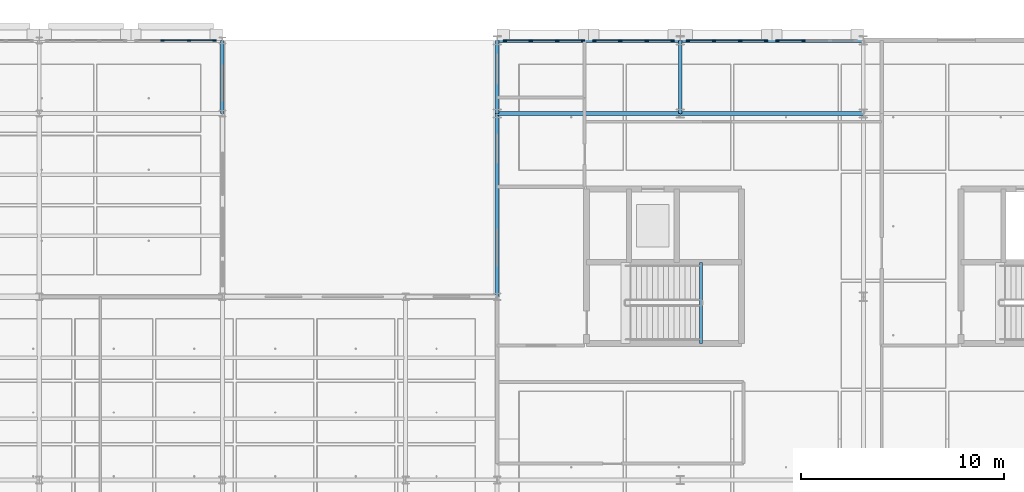
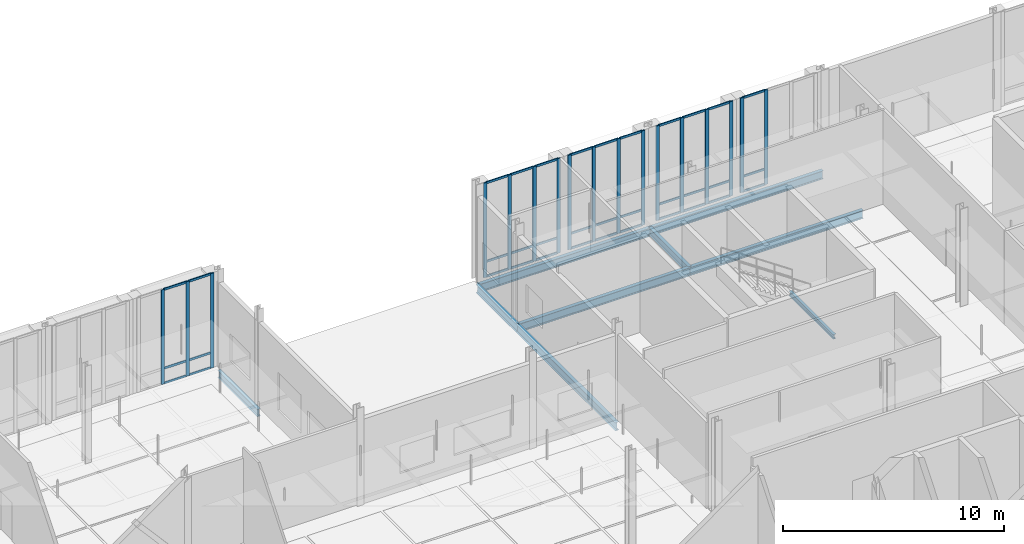
# One storey, part 62 of 180: 53 members, 9 beams, 5 elements without a shape of their own.
"""IFC4 building model written with IfcOpenShell, lengths in metres."""

from ifc_helpers import new_model, si_unit, direction, frame, origin, origin_2d, place, context, subcontext, project, spatial, rectangle, i_section, extrude, material, material_profile, profile_set, type_object, element, aggregate, save


model = new_model("IFC4")

# Units and contexts
model_context = context("Model", 3, precision=1e-05, world=origin(), true_north=direction((0.0, 1.0)))
body_context = subcontext(model_context, "Body", "Model", "MODEL_VIEW")
ifc_project = project(units=[si_unit("LENGTHUNIT", "METRE"), si_unit("AREAUNIT", "SQUARE_METRE"), si_unit("VOLUMEUNIT", "CUBIC_METRE"), si_unit("PLANEANGLEUNIT", "RADIAN"), si_unit("MASSUNIT", "GRAM", prefix="KILO"), si_unit("THERMODYNAMICTEMPERATUREUNIT", "KELVIN"), si_unit("POWERUNIT", "WATT")], contexts=[model_context])

# Site, building, storey
site_placement = place(None, origin())
site = spatial("IfcSite", under=ifc_project, at=site_placement, CompositionType="ELEMENT")
building_placement = place(site_placement, origin())
building = spatial("IfcBuilding", under=site, at=building_placement, Name="Tallowbark Science Centre", CompositionType="ELEMENT")
storey_placement = place(building_placement, origin())
storey = spatial("IfcBuildingStorey", under=building, at=storey_placement, Name="L00", CompositionType="ELEMENT", Elevation=0.0)

# Beams
ifc_material_1 = material(Name="Structural Steel Grade 300PLUS (300 MPa)", Category="steel")
ifc_material_profile_1 = material_profile(ifc_material_1, i_section(OverallWidth=0.177734375, OverallDepth=0.406494140625, WebThickness=0.0078125, FlangeThickness=0.0126953125, FilletRadius=0.011474609375, at=origin_2d()), Name="410UB59.7")
ifc_profile_set_1 = profile_set([ifc_material_profile_1], Name="Structural Steel Grade 300PLUS (300 MPa)")
beam_type_1 = type_object("IfcBeamType", Name="BM-UB410", PredefinedType="BEAM", material=ifc_profile_set_1)
for number, where, z_axis, x_axis, name in (
    (1, (99.0, 108.0, -0.443115234375), (0.0, 1.0, 0.0), (-1.0, 0.0, 0.0), "Primary Girder GRDY-L00-990-1080-1116"),
    (2, (121.5, 108.0, -0.443115234375), (0.0, 1.0, 0.0), (-1.0, 0.0, 0.0), "Primary Girder GRDY-L00-1215-1080-1116"),
):
    element("IfcBeam", number, at=place(storey_placement, frame(where, z_axis=z_axis, x_axis=x_axis)), inside=storey, type_object=beam_type_1, Name=name, PredefinedType="BEAM", context=body_context, shape_type="SweptSolid", body=[
        extrude(i_section(OverallWidth=0.177734375, OverallDepth=0.406494140625, WebThickness=0.0078125, FlangeThickness=0.0126953125, FilletRadius=0.011474609375, at=origin_2d()), origin(), (0.0, 0.0, 1.0), 3.60009765625),
    ])

# Curtain wall, members
ifc_material_2 = material(Name="Unitised Thermally Broken Aluminium and Low-E Double Glazing", Category="aluminium")
curtain_wall_type = type_object("IfcCurtainWallType", Name="CW-SYS-FACADE", PredefinedType="NOTDEFINED", material=ifc_material_2)
curtain_wall_1_placement = place(storey_placement, origin())
curtain_wall_1 = element("IfcCurtainWall", 3, at=curtain_wall_1_placement, inside=storey, type_object=curtain_wall_type, Name="Unitised Curtain Wall CAF-N-90A CW-L00-036", PredefinedType="NOTDEFINED")
ifc_material_3 = material(Name="Anodised Architectural Aluminium Alloy 6063-T6", Category="aluminium")
ifc_material_profile_2 = material_profile(ifc_material_3, rectangle(XDim=0.06494140625, YDim=0.179931640625, at=origin_2d()), Name="ALU65x180")
ifc_profile_set_2 = profile_set([ifc_material_profile_2], Name="Anodised Architectural Aluminium Alloy 6063-T6")
member_type_1 = type_object("IfcMemberType", Name="CWM-MUL-220", PredefinedType="MULLION", material=ifc_profile_set_2)
member_1_placement = place(storey_placement, frame((98.617431640625, 111.60009765625, 0.0), z_axis=(0.0, 0.0, 1.0), x_axis=(0.0, -1.0, 0.0)))
member_1 = element("IfcMember", 4, at=member_1_placement, type_object=member_type_1, Name="CW-01 mullion 1", PredefinedType="MULLION", context=body_context, shape_type="SweptSolid", body=[
    extrude(rectangle(XDim=0.06494140625, YDim=0.179931640625, at=origin_2d()), origin(), (0.0, 0.0, 1.0), 5.219970703125),
])
member_2_placement = place(storey_placement, frame((97.35009765625, 111.60009765625, 0.0), z_axis=(0.0, 0.0, 1.0), x_axis=(0.0, -1.0, 0.0)))
member_2 = element("IfcMember", 5, at=member_2_placement, type_object=member_type_1, Name="CW-01 mullion 2", PredefinedType="MULLION", context=body_context, shape_type="SweptSolid", body=[
    extrude(rectangle(XDim=0.06494140625, YDim=0.179931640625, at=origin_2d()), origin(), (0.0, 0.0, 1.0), 5.219970703125),
])
member_3_placement = place(storey_placement, frame((96.050048828125, 111.60009765625, 0.0), z_axis=(0.0, 0.0, 1.0), x_axis=(0.0, -1.0, 0.0)))
member_3 = element("IfcMember", 6, at=member_3_placement, type_object=member_type_1, Name="CW-01 mullion 3", PredefinedType="MULLION", context=body_context, shape_type="SweptSolid", body=[
    extrude(rectangle(XDim=0.06494140625, YDim=0.179931640625, at=origin_2d()), origin(), (0.0, 0.0, 1.0), 5.219970703125),
])

curtain_wall_2_placement = place(storey_placement, origin())
curtain_wall_2 = element("IfcCurtainWall", 7, at=curtain_wall_2_placement, inside=storey, type_object=curtain_wall_type, Name="Unitised Curtain Wall OBS-N-112A CW-L00-090", PredefinedType="NOTDEFINED")
member_4_placement = place(storey_placement, frame((121.117431640625, 111.60009765625, 0.0), z_axis=(0.0, 0.0, 1.0), x_axis=(0.0, -1.0, 0.0)))
member_4 = element("IfcMember", 8, at=member_4_placement, type_object=member_type_1, Name="CW-01 mullion 1", PredefinedType="MULLION", context=body_context, shape_type="SweptSolid", body=[
    extrude(rectangle(XDim=0.06494140625, YDim=0.179931640625, at=origin_2d()), origin(), (0.0, 0.0, 1.0), 5.219970703125),
])
member_5_placement = place(storey_placement, frame((119.85009765625, 111.60009765625, 0.0), z_axis=(0.0, 0.0, 1.0), x_axis=(0.0, -1.0, 0.0)))
member_5 = element("IfcMember", 9, at=member_5_placement, type_object=member_type_1, Name="CW-01 mullion 2", PredefinedType="MULLION", context=body_context, shape_type="SweptSolid", body=[
    extrude(rectangle(XDim=0.06494140625, YDim=0.179931640625, at=origin_2d()), origin(), (0.0, 0.0, 1.0), 5.219970703125),
])
member_6_placement = place(storey_placement, frame((118.550048828125, 111.60009765625, 0.0), z_axis=(0.0, 0.0, 1.0), x_axis=(0.0, -1.0, 0.0)))
member_6 = element("IfcMember", 10, at=member_6_placement, type_object=member_type_1, Name="CW-01 mullion 3", PredefinedType="MULLION", context=body_context, shape_type="SweptSolid", body=[
    extrude(rectangle(XDim=0.06494140625, YDim=0.179931640625, at=origin_2d()), origin(), (0.0, 0.0, 1.0), 5.219970703125),
])
member_7_placement = place(storey_placement, frame((117.282470703125, 111.60009765625, 0.0), z_axis=(0.0, 0.0, 1.0), x_axis=(0.0, -1.0, 0.0)))
member_7 = element("IfcMember", 11, at=member_7_placement, type_object=member_type_1, Name="CW-01 mullion 4", PredefinedType="MULLION", context=body_context, shape_type="SweptSolid", body=[
    extrude(rectangle(XDim=0.06494140625, YDim=0.179931640625, at=origin_2d()), origin(), (0.0, 0.0, 1.0), 5.219970703125),
])

curtain_wall_3_placement = place(storey_placement, origin())
curtain_wall_3 = element("IfcCurtainWall", 12, at=curtain_wall_3_placement, inside=storey, type_object=curtain_wall_type, Name="Unitised Curtain Wall OBS-N-112B CW-L00-091", PredefinedType="NOTDEFINED")
member_8_placement = place(storey_placement, frame((116.717529296875, 111.60009765625, 0.0), z_axis=(0.0, 0.0, 1.0), x_axis=(0.0, -1.0, 0.0)))
member_8 = element("IfcMember", 13, at=member_8_placement, type_object=member_type_1, Name="CW-01 mullion 1", PredefinedType="MULLION", context=body_context, shape_type="SweptSolid", body=[
    extrude(rectangle(XDim=0.06494140625, YDim=0.179931640625, at=origin_2d()), origin(), (0.0, 0.0, 1.0), 5.219970703125),
])
member_9_placement = place(storey_placement, frame((115.449951171875, 111.60009765625, 0.0), z_axis=(0.0, 0.0, 1.0), x_axis=(0.0, -1.0, 0.0)))
member_9 = element("IfcMember", 14, at=member_9_placement, type_object=member_type_1, Name="CW-01 mullion 2", PredefinedType="MULLION", context=body_context, shape_type="SweptSolid", body=[
    extrude(rectangle(XDim=0.06494140625, YDim=0.179931640625, at=origin_2d()), origin(), (0.0, 0.0, 1.0), 5.219970703125),
])
member_10_placement = place(storey_placement, frame((114.14990234375, 111.60009765625, 0.0), z_axis=(0.0, 0.0, 1.0), x_axis=(0.0, -1.0, 0.0)))
member_10 = element("IfcMember", 15, at=member_10_placement, type_object=member_type_1, Name="CW-01 mullion 3", PredefinedType="MULLION", context=body_context, shape_type="SweptSolid", body=[
    extrude(rectangle(XDim=0.06494140625, YDim=0.179931640625, at=origin_2d()), origin(), (0.0, 0.0, 1.0), 5.219970703125),
])
member_11_placement = place(storey_placement, frame((112.882568359375, 111.60009765625, 0.0), z_axis=(0.0, 0.0, 1.0), x_axis=(0.0, -1.0, 0.0)))
member_11 = element("IfcMember", 16, at=member_11_placement, type_object=member_type_1, Name="CW-01 mullion 4", PredefinedType="MULLION", context=body_context, shape_type="SweptSolid", body=[
    extrude(rectangle(XDim=0.06494140625, YDim=0.179931640625, at=origin_2d()), origin(), (0.0, 0.0, 1.0), 5.219970703125),
])

curtain_wall_4_placement = place(storey_placement, origin())
curtain_wall_4 = element("IfcCurtainWall", 17, at=curtain_wall_4_placement, inside=storey, type_object=curtain_wall_type, Name="Unitised Curtain Wall OBS-N-121A CW-L00-094", PredefinedType="NOTDEFINED")
member_12_placement = place(storey_placement, frame((127.550048828125, 111.60009765625, 0.0), z_axis=(0.0, 0.0, 1.0), x_axis=(0.0, -1.0, 0.0)))
member_12 = element("IfcMember", 18, at=member_12_placement, type_object=member_type_1, Name="CW-01 mullion 3", PredefinedType="MULLION", context=body_context, shape_type="SweptSolid", body=[
    extrude(rectangle(XDim=0.06494140625, YDim=0.179931640625, at=origin_2d()), origin(), (0.0, 0.0, 1.0), 5.219970703125),
])
member_13_placement = place(storey_placement, frame((126.282470703125, 111.60009765625, 0.0), z_axis=(0.0, 0.0, 1.0), x_axis=(0.0, -1.0, 0.0)))
member_13 = element("IfcMember", 19, at=member_13_placement, type_object=member_type_1, Name="CW-01 mullion 4", PredefinedType="MULLION", context=body_context, shape_type="SweptSolid", body=[
    extrude(rectangle(XDim=0.06494140625, YDim=0.179931640625, at=origin_2d()), origin(), (0.0, 0.0, 1.0), 5.219970703125),
])

curtain_wall_5_placement = place(storey_placement, origin())
curtain_wall_5 = element("IfcCurtainWall", 20, at=curtain_wall_5_placement, inside=storey, type_object=curtain_wall_type, Name="Unitised Curtain Wall OBS-N-121B CW-L00-095", PredefinedType="NOTDEFINED")
member_14_placement = place(storey_placement, frame((125.717529296875, 111.60009765625, 0.0), z_axis=(0.0, 0.0, 1.0), x_axis=(0.0, -1.0, 0.0)))
member_14 = element("IfcMember", 21, at=member_14_placement, type_object=member_type_1, Name="CW-01 mullion 1", PredefinedType="MULLION", context=body_context, shape_type="SweptSolid", body=[
    extrude(rectangle(XDim=0.06494140625, YDim=0.179931640625, at=origin_2d()), origin(), (0.0, 0.0, 1.0), 5.219970703125),
])
member_15_placement = place(storey_placement, frame((124.449951171875, 111.60009765625, 0.0), z_axis=(0.0, 0.0, 1.0), x_axis=(0.0, -1.0, 0.0)))
member_15 = element("IfcMember", 22, at=member_15_placement, type_object=member_type_1, Name="CW-01 mullion 2", PredefinedType="MULLION", context=body_context, shape_type="SweptSolid", body=[
    extrude(rectangle(XDim=0.06494140625, YDim=0.179931640625, at=origin_2d()), origin(), (0.0, 0.0, 1.0), 5.219970703125),
])
member_16_placement = place(storey_placement, frame((123.14990234375, 111.60009765625, 0.0), z_axis=(0.0, 0.0, 1.0), x_axis=(0.0, -1.0, 0.0)))
member_16 = element("IfcMember", 23, at=member_16_placement, type_object=member_type_1, Name="CW-01 mullion 3", PredefinedType="MULLION", context=body_context, shape_type="SweptSolid", body=[
    extrude(rectangle(XDim=0.06494140625, YDim=0.179931640625, at=origin_2d()), origin(), (0.0, 0.0, 1.0), 5.219970703125),
])
member_17_placement = place(storey_placement, frame((121.882568359375, 111.60009765625, 0.0), z_axis=(0.0, 0.0, 1.0), x_axis=(0.0, -1.0, 0.0)))
member_17 = element("IfcMember", 24, at=member_17_placement, type_object=member_type_1, Name="CW-01 mullion 4", PredefinedType="MULLION", context=body_context, shape_type="SweptSolid", body=[
    extrude(rectangle(XDim=0.06494140625, YDim=0.179931640625, at=origin_2d()), origin(), (0.0, 0.0, 1.0), 5.219970703125),
])

# Member
ifc_material_profile_3 = material_profile(ifc_material_3, rectangle(XDim=0.054931640625, YDim=0.1201171875, at=origin_2d()), Name="ALU55x120")
ifc_profile_set_3 = profile_set([ifc_material_profile_3], Name="Anodised Architectural Aluminium Alloy 6063-T6")
member_type_2 = type_object("IfcMemberType", Name="CWM-TRN-150", PredefinedType="USERDEFINED", material=ifc_profile_set_3)
member_18_placement = place(storey_placement, frame((98.5849609375, 111.60009765625, 0.027587890625), z_axis=(-1.0, 0.0, 0.0), x_axis=(0.0, -1.0, 0.0)))
member_18 = element("IfcMember", 25, at=member_18_placement, type_object=member_type_2, Name="CW-01 transom 1.1", ObjectType="TRANSOM", PredefinedType="USERDEFINED", context=body_context, shape_type="SweptSolid", body=[
    extrude(rectangle(XDim=0.054931640625, YDim=0.1201171875, at=origin_2d()), origin(), (0.0, 0.0, 1.0), 1.202392578125),
])

member_19_placement = place(storey_placement, frame((98.5849609375, 111.60009765625, 0.85009765625), z_axis=(-1.0, 0.0, 0.0), x_axis=(0.0, -1.0, 0.0)))
member_19 = element("IfcMember", 26, at=member_19_placement, type_object=member_type_2, Name="CW-01 transom 1.2", ObjectType="TRANSOM", PredefinedType="USERDEFINED", context=body_context, shape_type="SweptSolid", body=[
    extrude(rectangle(XDim=0.054931640625, YDim=0.1201171875, at=origin_2d()), origin(), (0.0, 0.0, 1.0), 1.202392578125),
])

member_20_placement = place(storey_placement, frame((98.5849609375, 111.60009765625, 5.1923828125), z_axis=(-1.0, 0.0, 0.0), x_axis=(0.0, -1.0, 0.0)))
member_20 = element("IfcMember", 27, at=member_20_placement, type_object=member_type_2, Name="CW-01 transom 1.3", ObjectType="TRANSOM", PredefinedType="USERDEFINED", context=body_context, shape_type="SweptSolid", body=[
    extrude(rectangle(XDim=0.054931640625, YDim=0.1201171875, at=origin_2d()), origin(), (0.0, 0.0, 1.0), 1.202392578125),
])

member_21_placement = place(storey_placement, frame((97.3173828125, 111.60009765625, 0.027587890625), z_axis=(-1.0, 0.0, 0.0), x_axis=(0.0, -1.0, 0.0)))
member_21 = element("IfcMember", 28, at=member_21_placement, type_object=member_type_2, Name="CW-01 transom 2.1", ObjectType="TRANSOM", PredefinedType="USERDEFINED", context=body_context, shape_type="SweptSolid", body=[
    extrude(rectangle(XDim=0.054931640625, YDim=0.1201171875, at=origin_2d()), origin(), (0.0, 0.0, 1.0), 1.23486328125),
])

member_22_placement = place(storey_placement, frame((97.3173828125, 111.60009765625, 0.85009765625), z_axis=(-1.0, 0.0, 0.0), x_axis=(0.0, -1.0, 0.0)))
member_22 = element("IfcMember", 29, at=member_22_placement, type_object=member_type_2, Name="CW-01 transom 2.2", ObjectType="TRANSOM", PredefinedType="USERDEFINED", context=body_context, shape_type="SweptSolid", body=[
    extrude(rectangle(XDim=0.054931640625, YDim=0.1201171875, at=origin_2d()), origin(), (0.0, 0.0, 1.0), 1.23486328125),
])

member_23_placement = place(storey_placement, frame((97.3173828125, 111.60009765625, 5.1923828125), z_axis=(-1.0, 0.0, 0.0), x_axis=(0.0, -1.0, 0.0)))
member_23 = element("IfcMember", 30, at=member_23_placement, type_object=member_type_2, Name="CW-01 transom 2.3", ObjectType="TRANSOM", PredefinedType="USERDEFINED", context=body_context, shape_type="SweptSolid", body=[
    extrude(rectangle(XDim=0.054931640625, YDim=0.1201171875, at=origin_2d()), origin(), (0.0, 0.0, 1.0), 1.23486328125),
])

aggregate(curtain_wall_1, [member_1, member_2, member_3, member_18, member_19, member_20, member_21, member_22, member_23])

member_24_placement = place(storey_placement, frame((121.0849609375, 111.60009765625, 0.027587890625), z_axis=(-1.0, 0.0, 0.0), x_axis=(0.0, -1.0, 0.0)))
member_24 = element("IfcMember", 31, at=member_24_placement, type_object=member_type_2, Name="CW-01 transom 1.1", ObjectType="TRANSOM", PredefinedType="USERDEFINED", context=body_context, shape_type="SweptSolid", body=[
    extrude(rectangle(XDim=0.054931640625, YDim=0.1201171875, at=origin_2d()), origin(), (0.0, 0.0, 1.0), 1.202392578125),
])

member_25_placement = place(storey_placement, frame((121.0849609375, 111.60009765625, 0.85009765625), z_axis=(-1.0, 0.0, 0.0), x_axis=(0.0, -1.0, 0.0)))
member_25 = element("IfcMember", 32, at=member_25_placement, type_object=member_type_2, Name="CW-01 transom 1.2", ObjectType="TRANSOM", PredefinedType="USERDEFINED", context=body_context, shape_type="SweptSolid", body=[
    extrude(rectangle(XDim=0.054931640625, YDim=0.1201171875, at=origin_2d()), origin(), (0.0, 0.0, 1.0), 1.202392578125),
])

member_26_placement = place(storey_placement, frame((121.0849609375, 111.60009765625, 5.1923828125), z_axis=(-1.0, 0.0, 0.0), x_axis=(0.0, -1.0, 0.0)))
member_26 = element("IfcMember", 33, at=member_26_placement, type_object=member_type_2, Name="CW-01 transom 1.3", ObjectType="TRANSOM", PredefinedType="USERDEFINED", context=body_context, shape_type="SweptSolid", body=[
    extrude(rectangle(XDim=0.054931640625, YDim=0.1201171875, at=origin_2d()), origin(), (0.0, 0.0, 1.0), 1.202392578125),
])

member_27_placement = place(storey_placement, frame((119.8173828125, 111.60009765625, 0.027587890625), z_axis=(-1.0, 0.0, 0.0), x_axis=(0.0, -1.0, 0.0)))
member_27 = element("IfcMember", 34, at=member_27_placement, type_object=member_type_2, Name="CW-01 transom 2.1", ObjectType="TRANSOM", PredefinedType="USERDEFINED", context=body_context, shape_type="SweptSolid", body=[
    extrude(rectangle(XDim=0.054931640625, YDim=0.1201171875, at=origin_2d()), origin(), (0.0, 0.0, 1.0), 1.23486328125),
])

member_28_placement = place(storey_placement, frame((119.8173828125, 111.60009765625, 0.85009765625), z_axis=(-1.0, 0.0, 0.0), x_axis=(0.0, -1.0, 0.0)))
member_28 = element("IfcMember", 35, at=member_28_placement, type_object=member_type_2, Name="CW-01 transom 2.2", ObjectType="TRANSOM", PredefinedType="USERDEFINED", context=body_context, shape_type="SweptSolid", body=[
    extrude(rectangle(XDim=0.054931640625, YDim=0.1201171875, at=origin_2d()), origin(), (0.0, 0.0, 1.0), 1.23486328125),
])

member_29_placement = place(storey_placement, frame((119.8173828125, 111.60009765625, 5.1923828125), z_axis=(-1.0, 0.0, 0.0), x_axis=(0.0, -1.0, 0.0)))
member_29 = element("IfcMember", 36, at=member_29_placement, type_object=member_type_2, Name="CW-01 transom 2.3", ObjectType="TRANSOM", PredefinedType="USERDEFINED", context=body_context, shape_type="SweptSolid", body=[
    extrude(rectangle(XDim=0.054931640625, YDim=0.1201171875, at=origin_2d()), origin(), (0.0, 0.0, 1.0), 1.23486328125),
])

member_30_placement = place(storey_placement, frame((118.517578125, 111.60009765625, 0.027587890625), z_axis=(-1.0, 0.0, 0.0), x_axis=(0.0, -1.0, 0.0)))
member_30 = element("IfcMember", 37, at=member_30_placement, type_object=member_type_2, Name="CW-01 transom 3.1", ObjectType="TRANSOM", PredefinedType="USERDEFINED", context=body_context, shape_type="SweptSolid", body=[
    extrude(rectangle(XDim=0.054931640625, YDim=0.1201171875, at=origin_2d()), origin(), (0.0, 0.0, 1.0), 1.20263671875),
])

member_31_placement = place(storey_placement, frame((118.517578125, 111.60009765625, 0.85009765625), z_axis=(-1.0, 0.0, 0.0), x_axis=(0.0, -1.0, 0.0)))
member_31 = element("IfcMember", 38, at=member_31_placement, type_object=member_type_2, Name="CW-01 transom 3.2", ObjectType="TRANSOM", PredefinedType="USERDEFINED", context=body_context, shape_type="SweptSolid", body=[
    extrude(rectangle(XDim=0.054931640625, YDim=0.1201171875, at=origin_2d()), origin(), (0.0, 0.0, 1.0), 1.20263671875),
])

member_32_placement = place(storey_placement, frame((118.517578125, 111.60009765625, 5.1923828125), z_axis=(-1.0, 0.0, 0.0), x_axis=(0.0, -1.0, 0.0)))
member_32 = element("IfcMember", 39, at=member_32_placement, type_object=member_type_2, Name="CW-01 transom 3.3", ObjectType="TRANSOM", PredefinedType="USERDEFINED", context=body_context, shape_type="SweptSolid", body=[
    extrude(rectangle(XDim=0.054931640625, YDim=0.1201171875, at=origin_2d()), origin(), (0.0, 0.0, 1.0), 1.20263671875),
])

aggregate(curtain_wall_2, [member_4, member_5, member_6, member_7, member_24, member_25, member_26, member_27, member_28, member_29, member_30, member_31, member_32])

member_33_placement = place(storey_placement, frame((116.68505859375, 111.60009765625, 0.027587890625), z_axis=(-1.0, 0.0, 0.0), x_axis=(0.0, -1.0, 0.0)))
member_33 = element("IfcMember", 40, at=member_33_placement, type_object=member_type_2, Name="CW-01 transom 1.1", ObjectType="TRANSOM", PredefinedType="USERDEFINED", context=body_context, shape_type="SweptSolid", body=[
    extrude(rectangle(XDim=0.054931640625, YDim=0.1201171875, at=origin_2d()), origin(), (0.0, 0.0, 1.0), 1.20263671875),
])

member_34_placement = place(storey_placement, frame((116.68505859375, 111.60009765625, 0.85009765625), z_axis=(-1.0, 0.0, 0.0), x_axis=(0.0, -1.0, 0.0)))
member_34 = element("IfcMember", 41, at=member_34_placement, type_object=member_type_2, Name="CW-01 transom 1.2", ObjectType="TRANSOM", PredefinedType="USERDEFINED", context=body_context, shape_type="SweptSolid", body=[
    extrude(rectangle(XDim=0.054931640625, YDim=0.1201171875, at=origin_2d()), origin(), (0.0, 0.0, 1.0), 1.20263671875),
])

member_35_placement = place(storey_placement, frame((116.68505859375, 111.60009765625, 5.1923828125), z_axis=(-1.0, 0.0, 0.0), x_axis=(0.0, -1.0, 0.0)))
member_35 = element("IfcMember", 42, at=member_35_placement, type_object=member_type_2, Name="CW-01 transom 1.3", ObjectType="TRANSOM", PredefinedType="USERDEFINED", context=body_context, shape_type="SweptSolid", body=[
    extrude(rectangle(XDim=0.054931640625, YDim=0.1201171875, at=origin_2d()), origin(), (0.0, 0.0, 1.0), 1.20263671875),
])

member_36_placement = place(storey_placement, frame((115.41748046875, 111.60009765625, 0.027587890625), z_axis=(-1.0, 0.0, 0.0), x_axis=(0.0, -1.0, 0.0)))
member_36 = element("IfcMember", 43, at=member_36_placement, type_object=member_type_2, Name="CW-01 transom 2.1", ObjectType="TRANSOM", PredefinedType="USERDEFINED", context=body_context, shape_type="SweptSolid", body=[
    extrude(rectangle(XDim=0.054931640625, YDim=0.1201171875, at=origin_2d()), origin(), (0.0, 0.0, 1.0), 1.23486328125),
])

member_37_placement = place(storey_placement, frame((115.41748046875, 111.60009765625, 0.85009765625), z_axis=(-1.0, 0.0, 0.0), x_axis=(0.0, -1.0, 0.0)))
member_37 = element("IfcMember", 44, at=member_37_placement, type_object=member_type_2, Name="CW-01 transom 2.2", ObjectType="TRANSOM", PredefinedType="USERDEFINED", context=body_context, shape_type="SweptSolid", body=[
    extrude(rectangle(XDim=0.054931640625, YDim=0.1201171875, at=origin_2d()), origin(), (0.0, 0.0, 1.0), 1.23486328125),
])

member_38_placement = place(storey_placement, frame((115.41748046875, 111.60009765625, 5.1923828125), z_axis=(-1.0, 0.0, 0.0), x_axis=(0.0, -1.0, 0.0)))
member_38 = element("IfcMember", 45, at=member_38_placement, type_object=member_type_2, Name="CW-01 transom 2.3", ObjectType="TRANSOM", PredefinedType="USERDEFINED", context=body_context, shape_type="SweptSolid", body=[
    extrude(rectangle(XDim=0.054931640625, YDim=0.1201171875, at=origin_2d()), origin(), (0.0, 0.0, 1.0), 1.23486328125),
])

member_39_placement = place(storey_placement, frame((114.117431640625, 111.60009765625, 0.027587890625), z_axis=(-1.0, 0.0, 0.0), x_axis=(0.0, -1.0, 0.0)))
member_39 = element("IfcMember", 46, at=member_39_placement, type_object=member_type_2, Name="CW-01 transom 3.1", ObjectType="TRANSOM", PredefinedType="USERDEFINED", context=body_context, shape_type="SweptSolid", body=[
    extrude(rectangle(XDim=0.054931640625, YDim=0.1201171875, at=origin_2d()), origin(), (0.0, 0.0, 1.0), 1.202392578125),
])

member_40_placement = place(storey_placement, frame((114.117431640625, 111.60009765625, 0.85009765625), z_axis=(-1.0, 0.0, 0.0), x_axis=(0.0, -1.0, 0.0)))
member_40 = element("IfcMember", 47, at=member_40_placement, type_object=member_type_2, Name="CW-01 transom 3.2", ObjectType="TRANSOM", PredefinedType="USERDEFINED", context=body_context, shape_type="SweptSolid", body=[
    extrude(rectangle(XDim=0.054931640625, YDim=0.1201171875, at=origin_2d()), origin(), (0.0, 0.0, 1.0), 1.202392578125),
])

member_41_placement = place(storey_placement, frame((114.117431640625, 111.60009765625, 5.1923828125), z_axis=(-1.0, 0.0, 0.0), x_axis=(0.0, -1.0, 0.0)))
member_41 = element("IfcMember", 48, at=member_41_placement, type_object=member_type_2, Name="CW-01 transom 3.3", ObjectType="TRANSOM", PredefinedType="USERDEFINED", context=body_context, shape_type="SweptSolid", body=[
    extrude(rectangle(XDim=0.054931640625, YDim=0.1201171875, at=origin_2d()), origin(), (0.0, 0.0, 1.0), 1.202392578125),
])

aggregate(curtain_wall_3, [member_8, member_9, member_10, member_11, member_33, member_34, member_35, member_36, member_37, member_38, member_39, member_40, member_41])

member_42_placement = place(storey_placement, frame((127.517578125, 111.60009765625, 0.027587890625), z_axis=(-1.0, 0.0, 0.0), x_axis=(0.0, -1.0, 0.0)))
member_42 = element("IfcMember", 49, at=member_42_placement, type_object=member_type_2, Name="CW-01 transom 3.1", ObjectType="TRANSOM", PredefinedType="USERDEFINED", context=body_context, shape_type="SweptSolid", body=[
    extrude(rectangle(XDim=0.054931640625, YDim=0.1201171875, at=origin_2d()), origin(), (0.0, 0.0, 1.0), 1.20263671875),
])

member_43_placement = place(storey_placement, frame((127.517578125, 111.60009765625, 0.85009765625), z_axis=(-1.0, 0.0, 0.0), x_axis=(0.0, -1.0, 0.0)))
member_43 = element("IfcMember", 50, at=member_43_placement, type_object=member_type_2, Name="CW-01 transom 3.2", ObjectType="TRANSOM", PredefinedType="USERDEFINED", context=body_context, shape_type="SweptSolid", body=[
    extrude(rectangle(XDim=0.054931640625, YDim=0.1201171875, at=origin_2d()), origin(), (0.0, 0.0, 1.0), 1.20263671875),
])

member_44_placement = place(storey_placement, frame((127.517578125, 111.60009765625, 5.1923828125), z_axis=(-1.0, 0.0, 0.0), x_axis=(0.0, -1.0, 0.0)))
member_44 = element("IfcMember", 51, at=member_44_placement, type_object=member_type_2, Name="CW-01 transom 3.3", ObjectType="TRANSOM", PredefinedType="USERDEFINED", context=body_context, shape_type="SweptSolid", body=[
    extrude(rectangle(XDim=0.054931640625, YDim=0.1201171875, at=origin_2d()), origin(), (0.0, 0.0, 1.0), 1.20263671875),
])

aggregate(curtain_wall_4, [member_12, member_13, member_42, member_43, member_44])

member_45_placement = place(storey_placement, frame((125.68505859375, 111.60009765625, 0.027587890625), z_axis=(-1.0, 0.0, 0.0), x_axis=(0.0, -1.0, 0.0)))
member_45 = element("IfcMember", 52, at=member_45_placement, type_object=member_type_2, Name="CW-01 transom 1.1", ObjectType="TRANSOM", PredefinedType="USERDEFINED", context=body_context, shape_type="SweptSolid", body=[
    extrude(rectangle(XDim=0.054931640625, YDim=0.1201171875, at=origin_2d()), origin(), (0.0, 0.0, 1.0), 1.20263671875),
])

member_46_placement = place(storey_placement, frame((125.68505859375, 111.60009765625, 0.85009765625), z_axis=(-1.0, 0.0, 0.0), x_axis=(0.0, -1.0, 0.0)))
member_46 = element("IfcMember", 53, at=member_46_placement, type_object=member_type_2, Name="CW-01 transom 1.2", ObjectType="TRANSOM", PredefinedType="USERDEFINED", context=body_context, shape_type="SweptSolid", body=[
    extrude(rectangle(XDim=0.054931640625, YDim=0.1201171875, at=origin_2d()), origin(), (0.0, 0.0, 1.0), 1.20263671875),
])

member_47_placement = place(storey_placement, frame((125.68505859375, 111.60009765625, 5.1923828125), z_axis=(-1.0, 0.0, 0.0), x_axis=(0.0, -1.0, 0.0)))
member_47 = element("IfcMember", 54, at=member_47_placement, type_object=member_type_2, Name="CW-01 transom 1.3", ObjectType="TRANSOM", PredefinedType="USERDEFINED", context=body_context, shape_type="SweptSolid", body=[
    extrude(rectangle(XDim=0.054931640625, YDim=0.1201171875, at=origin_2d()), origin(), (0.0, 0.0, 1.0), 1.20263671875),
])

member_48_placement = place(storey_placement, frame((124.41748046875, 111.60009765625, 0.027587890625), z_axis=(-1.0, 0.0, 0.0), x_axis=(0.0, -1.0, 0.0)))
member_48 = element("IfcMember", 55, at=member_48_placement, type_object=member_type_2, Name="CW-01 transom 2.1", ObjectType="TRANSOM", PredefinedType="USERDEFINED", context=body_context, shape_type="SweptSolid", body=[
    extrude(rectangle(XDim=0.054931640625, YDim=0.1201171875, at=origin_2d()), origin(), (0.0, 0.0, 1.0), 1.23486328125),
])

member_49_placement = place(storey_placement, frame((124.41748046875, 111.60009765625, 0.85009765625), z_axis=(-1.0, 0.0, 0.0), x_axis=(0.0, -1.0, 0.0)))
member_49 = element("IfcMember", 56, at=member_49_placement, type_object=member_type_2, Name="CW-01 transom 2.2", ObjectType="TRANSOM", PredefinedType="USERDEFINED", context=body_context, shape_type="SweptSolid", body=[
    extrude(rectangle(XDim=0.054931640625, YDim=0.1201171875, at=origin_2d()), origin(), (0.0, 0.0, 1.0), 1.23486328125),
])

member_50_placement = place(storey_placement, frame((124.41748046875, 111.60009765625, 5.1923828125), z_axis=(-1.0, 0.0, 0.0), x_axis=(0.0, -1.0, 0.0)))
member_50 = element("IfcMember", 57, at=member_50_placement, type_object=member_type_2, Name="CW-01 transom 2.3", ObjectType="TRANSOM", PredefinedType="USERDEFINED", context=body_context, shape_type="SweptSolid", body=[
    extrude(rectangle(XDim=0.054931640625, YDim=0.1201171875, at=origin_2d()), origin(), (0.0, 0.0, 1.0), 1.23486328125),
])

member_51_placement = place(storey_placement, frame((123.117431640625, 111.60009765625, 0.027587890625), z_axis=(-1.0, 0.0, 0.0), x_axis=(0.0, -1.0, 0.0)))
member_51 = element("IfcMember", 58, at=member_51_placement, type_object=member_type_2, Name="CW-01 transom 3.1", ObjectType="TRANSOM", PredefinedType="USERDEFINED", context=body_context, shape_type="SweptSolid", body=[
    extrude(rectangle(XDim=0.054931640625, YDim=0.1201171875, at=origin_2d()), origin(), (0.0, 0.0, 1.0), 1.202392578125),
])

member_52_placement = place(storey_placement, frame((123.117431640625, 111.60009765625, 0.85009765625), z_axis=(-1.0, 0.0, 0.0), x_axis=(0.0, -1.0, 0.0)))
member_52 = element("IfcMember", 59, at=member_52_placement, type_object=member_type_2, Name="CW-01 transom 3.2", ObjectType="TRANSOM", PredefinedType="USERDEFINED", context=body_context, shape_type="SweptSolid", body=[
    extrude(rectangle(XDim=0.054931640625, YDim=0.1201171875, at=origin_2d()), origin(), (0.0, 0.0, 1.0), 1.202392578125),
])

member_53_placement = place(storey_placement, frame((123.117431640625, 111.60009765625, 5.1923828125), z_axis=(-1.0, 0.0, 0.0), x_axis=(0.0, -1.0, 0.0)))
member_53 = element("IfcMember", 60, at=member_53_placement, type_object=member_type_2, Name="CW-01 transom 3.3", ObjectType="TRANSOM", PredefinedType="USERDEFINED", context=body_context, shape_type="SweptSolid", body=[
    extrude(rectangle(XDim=0.054931640625, YDim=0.1201171875, at=origin_2d()), origin(), (0.0, 0.0, 1.0), 1.202392578125),
])

aggregate(curtain_wall_5, [member_14, member_15, member_16, member_17, member_45, member_46, member_47, member_48, member_49, member_50, member_51, member_52, member_53])

# Beams
ifc_material_profile_4 = material_profile(ifc_material_1, i_section(OverallWidth=0.146484375, OverallDepth=0.256103515625, WebThickness=0.00634765625, FlangeThickness=0.010986328125, FilletRadius=0.0087890625, at=origin_2d()), Name="250UB37.3")
ifc_profile_set_4 = profile_set([ifc_material_profile_4], Name="Structural Steel Grade 300PLUS (300 MPa)")
beam_type_2 = type_object("IfcBeamType", Name="JST-UB250", PredefinedType="JOIST", material=ifc_profile_set_4)
beam_1_placement = place(storey_placement, frame((122.52001953125, 96.699951171875, 2.371826171875), z_axis=(0.0, 1.0, 0.0), x_axis=(-1.0, 0.0, 0.0)))
element("IfcBeam", 61, at=beam_1_placement, inside=storey, type_object=beam_type_2, Name="Stair ST-05 Half-Landing Trimmer L00", PredefinedType="JOIST", context=body_context, shape_type="SweptSolid", body=[
    extrude(i_section(OverallWidth=0.146484375, OverallDepth=0.256103515625, WebThickness=0.00634765625, FlangeThickness=0.010986328125, FilletRadius=0.0087890625, at=origin_2d()), origin(), (0.0, 0.0, 1.0), 3.9951171875),
])
ifc_material_profile_5 = material_profile(ifc_material_1, i_section(OverallWidth=0.18994140625, OverallDepth=0.453857421875, WebThickness=0.008544921875, FlangeThickness=0.0126953125, FilletRadius=0.011474609375, at=origin_2d()), Name="460UB67.1")
ifc_profile_set_5 = profile_set([ifc_material_profile_5], Name="Structural Steel Grade 300PLUS (300 MPa)")
beam_type_3 = type_object("IfcBeamType", Name="SPN-UB460", PredefinedType="SPANDREL", material=ifc_profile_set_5)
for number, where, z_axis, x_axis, name in (
    (62, (112.5, 108.0, -0.466796875), (1.0, 0.0, 0.0), (0.0, 1.0, 0.0), "Primary Girder GRDX-L00-1125-1215-1080"),
    (63, (121.5, 108.0, -0.466796875), (1.0, 0.0, 0.0), (0.0, 1.0, 0.0), "Primary Girder GRDX-L00-1215-1305-1080"),
    (64, (112.5, 111.60009765625, -0.466796875), (1.0, 0.0, 0.0), (0.0, 1.0, 0.0), "Primary Girder GRDX-L00-1125-1215-1116"),
    (65, (121.5, 111.60009765625, -0.466796875), (1.0, 0.0, 0.0), (0.0, 1.0, 0.0), "Primary Girder GRDX-L00-1215-1305-1116"),
    (66, (112.5, 99.0, -0.466796875), (0.0, 1.0, 0.0), (-1.0, 0.0, 0.0), "Primary Girder GRDY-L00-1125-990-1080"),
):
    element("IfcBeam", number, at=place(storey_placement, frame(where, z_axis=z_axis, x_axis=x_axis)), inside=storey, type_object=beam_type_3, Name=name, PredefinedType="SPANDREL", context=body_context, shape_type="SweptSolid", body=[
        extrude(i_section(OverallWidth=0.18994140625, OverallDepth=0.453857421875, WebThickness=0.008544921875, FlangeThickness=0.0126953125, FilletRadius=0.011474609375, at=origin_2d()), origin(), (0.0, 0.0, 1.0), 9.0),
    ])
beam_2_placement = place(storey_placement, frame((112.5, 108.0, -0.466796875), z_axis=(0.0, 1.0, 0.0), x_axis=(-1.0, 0.0, 0.0)))
element("IfcBeam", 67, at=beam_2_placement, inside=storey, type_object=beam_type_3, Name="Primary Girder GRDY-L00-1125-1080-1116", PredefinedType="SPANDREL", context=body_context, shape_type="SweptSolid", body=[
    extrude(i_section(OverallWidth=0.18994140625, OverallDepth=0.453857421875, WebThickness=0.008544921875, FlangeThickness=0.0126953125, FilletRadius=0.011474609375, at=origin_2d()), origin(), (0.0, 0.0, 1.0), 3.60009765625),
])

save(model, "model.ifc")
